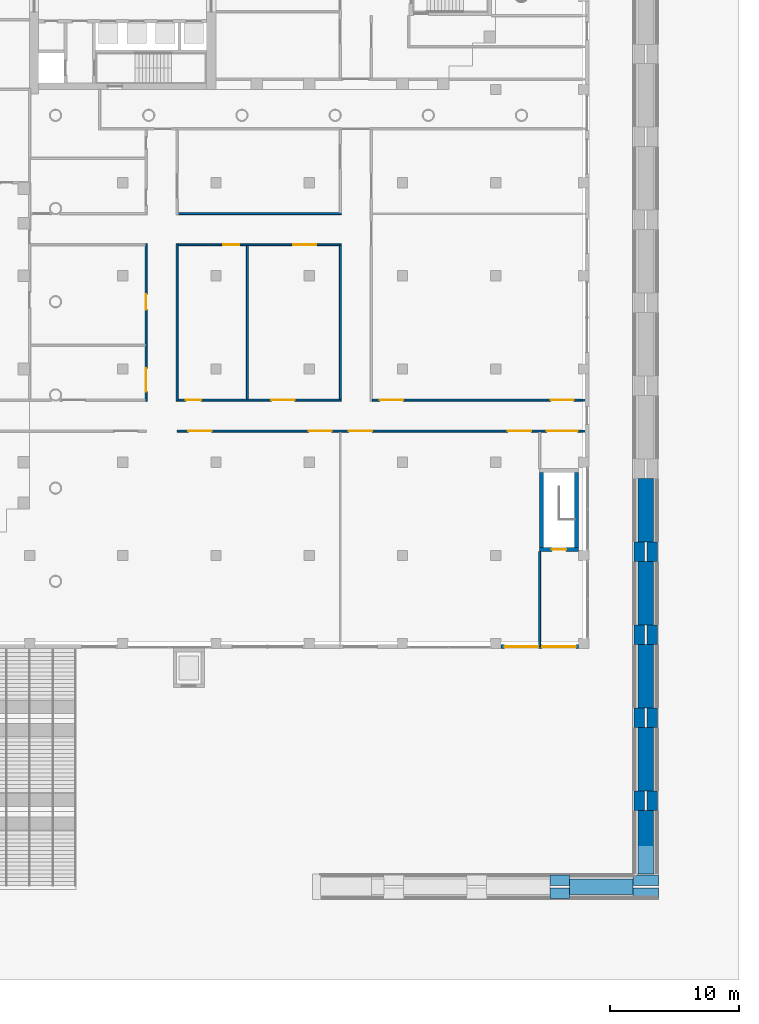
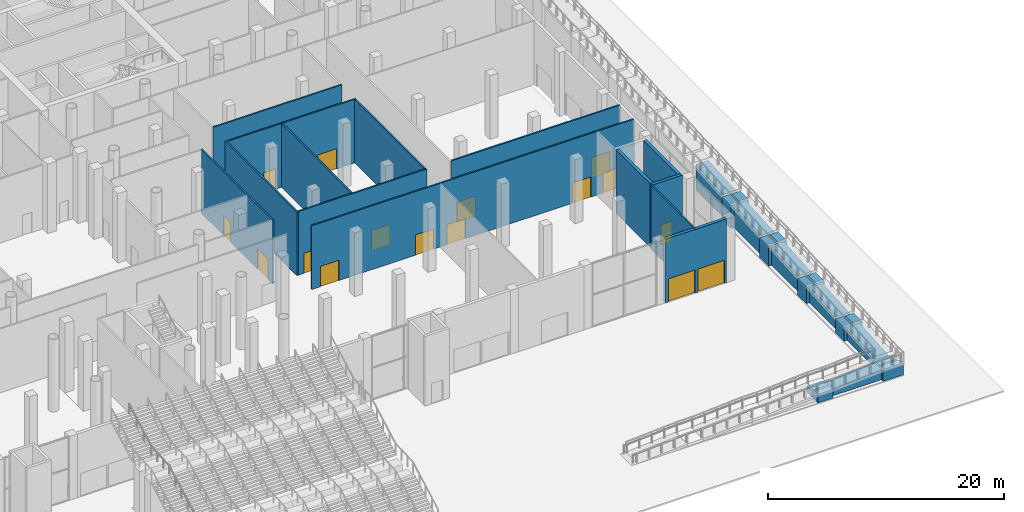
# One storey, part 19 of 44: 32 walls, 16 doors, 16 openings.
"""IFC4 building model written with IfcOpenShell, lengths in metres."""

from ifc_helpers import new_model, si_unit, direction, frame, frame_2d, origin, place, context, subcontext, project, spatial, polyline, rectangle, outline, extrude, material, layer, layer_set, type_object, element, fill, save


model = new_model("IFC4")

# Units and contexts
model_context = context("Model", 3, precision=1e-05, world=origin(), true_north=direction((0.0, 1.0)))
body_context = subcontext(model_context, "Body", "Model", "MODEL_VIEW")
ifc_project = project(units=[si_unit("LENGTHUNIT", "METRE"), si_unit("AREAUNIT", "SQUARE_METRE"), si_unit("VOLUMEUNIT", "CUBIC_METRE"), si_unit("PLANEANGLEUNIT", "RADIAN"), si_unit("MASSUNIT", "GRAM", prefix="KILO")], contexts=[model_context])

# Site, building, storey
site_placement = place(None, origin())
site = spatial("IfcSite", under=ifc_project, at=site_placement, CompositionType="ELEMENT")
building_placement = place(site_placement, origin())
building = spatial("IfcBuilding", under=site, at=building_placement, Name="Fustian Cross Tower", CompositionType="ELEMENT")
storey_placement = place(building_placement, origin())
storey = spatial("IfcBuildingStorey", under=building, at=storey_placement, Name="L00", CompositionType="ELEMENT", Elevation=0.0)

# Wall, openings, doors
ifc_material_1 = material(Name="Plasterboard on steel stud", Category="steel")
ifc_layer_1 = layer(ifc_material_1, 0.14990234375)
ifc_layer_set_1 = layer_set([ifc_layer_1], Name="Plasterboard on steel stud")
wall_type_1 = type_object("IfcWallType", Name="COMPARTMENT WALL 150 EI 60", PredefinedType="PARTITIONING", material=ifc_layer_set_1)
wall_1_placement = place(storey_placement, frame((16.199951171875, -31.27490234375, 0.0), z_axis=(0.0, 0.0, 1.0), x_axis=(0.0, 1.0, 0.0)))
wall_1 = element("IfcWall", 1, at=wall_1_placement, inside=storey, type_object=wall_type_1, Name="Partition 109", PredefinedType="PARTITIONING", context=body_context, shape_type="SweptSolid", body=[
    extrude(rectangle(XDim=12.14990234375, YDim=0.14990234375, at=frame_2d((6.074951171875, 0.0))), origin(), (0.0, 0.0, 1.0), 6.60009765625),
])
opening_1_placement = place(wall_1_placement, frame((0.72509765625, 0.0, 0.0)))
opening_1 = element("IfcOpeningElement", 2, at=opening_1_placement, cuts=wall_1, Name="Opening D02123", PredefinedType="OPENING", context=body_context, shape_type="SweptSolid", body=[
    extrude(rectangle(XDim=1.800048828125, YDim=2.10009765625, at=frame_2d((0.89990234375, 1.050048828125))), frame((0.0, 0.0849609375, 0.0), z_axis=(0.0, -1.0, 0.0), x_axis=(1.0, 0.0, 0.0)), (0.0, 0.0, 1.0), 0.169921875),
])
opening_2_placement = place(wall_1_placement, frame((7.06103515625, 0.0, 0.0)))
opening_2 = element("IfcOpeningElement", 3, at=opening_2_placement, cuts=wall_1, Name="Opening D02125", PredefinedType="OPENING", context=body_context, shape_type="SweptSolid", body=[
    extrude(rectangle(XDim=1.199951171875, YDim=2.10009765625, at=frame_2d((0.60009765625, 1.050048828125))), frame((0.0, 0.0849609375, 0.0), z_axis=(0.0, -1.0, 0.0), x_axis=(1.0, 0.0, 0.0)), (0.0, 0.0, 1.0), 0.169921875),
])
ifc_material_2 = material(Name="Timber fire door set", Category="wood")
door_type_1 = type_object("IfcDoorType", Name="FIRE DOUBLE DOOR 1800 FD30S", OperationType="DOUBLE_DOOR_DOUBLE_SWING", PredefinedType="DOOR", material=ifc_material_2)
door_1_placement = place(opening_1_placement, frame((1.800048828125, 0.0, 0.0), z_axis=(0.0, 0.0, 1.0), x_axis=(-1.0, 0.0, 0.0)))
door_1 = element("IfcDoor", 4, at=door_1_placement, inside=storey, type_object=door_type_1, Name="Door D02123", OperationType="DOUBLE_DOOR_DOUBLE_SWING", OverallHeight=2.10009765625, OverallWidth=1.800048828125, PredefinedType="DOOR", context=body_context, shape_type="SweptSolid", body=[
    extrude(rectangle(XDim=1.800048828125, YDim=2.10009765625, at=frame_2d((0.89990234375, 1.050048828125))), frame((0.0, 0.02490234375, 0.0), z_axis=(0.0, -1.0, 0.0), x_axis=(1.0, 0.0, 0.0)), (0.0, 0.0, 1.0), 0.050048828125),
])
fill(opening_1, door_1)
ifc_material_3 = material(Name="Timber fire door set", Category="wood")
door_type_2 = type_object("IfcDoorType", Name="FIRE SWING DOOR 1200 FD30S", OperationType="SINGLE_SWING_LEFT", PredefinedType="DOOR", material=ifc_material_3)
door_2_placement = place(opening_2_placement, origin())
door_2 = element("IfcDoor", 5, at=door_2_placement, inside=storey, type_object=door_type_2, Name="Door D02125", OperationType="SINGLE_SWING_LEFT", OverallHeight=2.10009765625, OverallWidth=1.199951171875, PredefinedType="DOOR", context=body_context, shape_type="SweptSolid", body=[
    extrude(rectangle(XDim=1.199951171875, YDim=2.10009765625, at=frame_2d((0.60009765625, 1.050048828125))), frame((0.0, 0.02490234375, 0.0), z_axis=(0.0, -1.0, 0.0), x_axis=(1.0, 0.0, 0.0)), (0.0, 0.0, 1.0), 0.050048828125),
])
fill(opening_2, door_2)

wall_2_placement = place(storey_placement, frame((18.60009765625, -33.60009765625, 0.0), z_axis=(0.0, 0.0, 1.0), x_axis=(1.0, 0.0, 0.0)))
wall_2 = element("IfcWall", 6, at=wall_2_placement, inside=storey, type_object=wall_type_1, Name="Partition 114", PredefinedType="PARTITIONING", context=body_context, shape_type="SweptSolid", body=[
    extrude(rectangle(XDim=31.619873046875, YDim=0.14990234375, at=frame_2d((15.81005859375, 0.0))), origin(), (0.0, 0.0, 1.0), 6.60009765625),
])
opening_3_placement = place(wall_2_placement, frame((28.550048828125, 0.0, 0.0)))
opening_3 = element("IfcOpeningElement", 7, at=opening_3_placement, cuts=wall_2, Name="Opening D02030", PredefinedType="OPENING", context=body_context, shape_type="SweptSolid", body=[
    extrude(rectangle(XDim=2.39990234375, YDim=2.10009765625, at=frame_2d((1.199951171875, 1.050048828125))), frame((0.0, 0.0849609375, 0.0), z_axis=(0.0, -1.0, 0.0), x_axis=(1.0, 0.0, 0.0)), (0.0, 0.0, 1.0), 0.169921875),
])
opening_4_placement = place(wall_2_placement, frame((0.85009765625, 0.0, 0.0)))
opening_4 = element("IfcOpeningElement", 8, at=opening_4_placement, cuts=wall_2, Name="Opening D02136", PredefinedType="OPENING", context=body_context, shape_type="SweptSolid", body=[
    extrude(rectangle(XDim=1.800048828125, YDim=2.10009765625, at=frame_2d((0.89990234375, 1.050048828125))), frame((0.0, 0.0849609375, 0.0), z_axis=(0.0, -1.0, 0.0), x_axis=(1.0, 0.0, 0.0)), (0.0, 0.0, 1.0), 0.169921875),
])
opening_5_placement = place(wall_2_placement, frame((10.14990234375, 0.0, 0.0)))
opening_5 = element("IfcOpeningElement", 9, at=opening_5_placement, cuts=wall_2, Name="Opening D02137", PredefinedType="OPENING", context=body_context, shape_type="SweptSolid", body=[
    extrude(rectangle(XDim=1.800048828125, YDim=2.10009765625, at=frame_2d((0.89990234375, 1.050048828125))), frame((0.0, 0.0849609375, 0.0), z_axis=(0.0, -1.0, 0.0), x_axis=(1.0, 0.0, 0.0)), (0.0, 0.0, 1.0), 0.169921875),
])
opening_6_placement = place(wall_2_placement, frame((13.25, 0.0, 0.0)))
opening_6 = element("IfcOpeningElement", 10, at=opening_6_placement, cuts=wall_2, Name="Opening D02138", PredefinedType="OPENING", context=body_context, shape_type="SweptSolid", body=[
    extrude(rectangle(XDim=1.800048828125, YDim=2.10009765625, at=frame_2d((0.89990234375, 1.050048828125))), frame((0.0, 0.0849609375, 0.0), z_axis=(0.0, -1.0, 0.0), x_axis=(1.0, 0.0, 0.0)), (0.0, 0.0, 1.0), 0.169921875),
])
opening_7_placement = place(wall_2_placement, frame((25.550048828125, 0.0, 0.0)))
opening_7 = element("IfcOpeningElement", 11, at=opening_7_placement, cuts=wall_2, Name="Opening D02139", PredefinedType="OPENING", context=body_context, shape_type="SweptSolid", body=[
    extrude(rectangle(XDim=1.800048828125, YDim=2.10009765625, at=frame_2d((0.89990234375, 1.050048828125))), frame((0.0, 0.0849609375, 0.0), z_axis=(0.0, -1.0, 0.0), x_axis=(1.0, 0.0, 0.0)), (0.0, 0.0, 1.0), 0.169921875),
])
door_3_placement = place(opening_4_placement, origin())
door_3 = element("IfcDoor", 12, at=door_3_placement, inside=storey, type_object=door_type_1, Name="Door D02136", OperationType="DOUBLE_DOOR_DOUBLE_SWING", OverallHeight=2.10009765625, OverallWidth=1.800048828125, PredefinedType="DOOR", context=body_context, shape_type="SweptSolid", body=[
    extrude(rectangle(XDim=1.800048828125, YDim=2.10009765625, at=frame_2d((0.89990234375, 1.050048828125))), frame((0.0, 0.02490234375, 0.0), z_axis=(0.0, -1.0, 0.0), x_axis=(1.0, 0.0, 0.0)), (0.0, 0.0, 1.0), 0.050048828125),
])
fill(opening_4, door_3)
door_4_placement = place(opening_5_placement, origin())
door_4 = element("IfcDoor", 13, at=door_4_placement, inside=storey, type_object=door_type_1, Name="Door D02137", OperationType="DOUBLE_DOOR_DOUBLE_SWING", OverallHeight=2.10009765625, OverallWidth=1.800048828125, PredefinedType="DOOR", context=body_context, shape_type="SweptSolid", body=[
    extrude(rectangle(XDim=1.800048828125, YDim=2.10009765625, at=frame_2d((0.89990234375, 1.050048828125))), frame((0.0, 0.02490234375, 0.0), z_axis=(0.0, -1.0, 0.0), x_axis=(1.0, 0.0, 0.0)), (0.0, 0.0, 1.0), 0.050048828125),
])
fill(opening_5, door_4)
door_5_placement = place(opening_6_placement, origin())
door_5 = element("IfcDoor", 14, at=door_5_placement, inside=storey, type_object=door_type_1, Name="Door D02138", OperationType="DOUBLE_DOOR_DOUBLE_SWING", OverallHeight=2.10009765625, OverallWidth=1.800048828125, PredefinedType="DOOR", context=body_context, shape_type="SweptSolid", body=[
    extrude(rectangle(XDim=1.800048828125, YDim=2.10009765625, at=frame_2d((0.89990234375, 1.050048828125))), frame((0.0, 0.02490234375, 0.0), z_axis=(0.0, -1.0, 0.0), x_axis=(1.0, 0.0, 0.0)), (0.0, 0.0, 1.0), 0.050048828125),
])
fill(opening_6, door_5)
door_6_placement = place(opening_7_placement, origin())
door_6 = element("IfcDoor", 15, at=door_6_placement, inside=storey, type_object=door_type_1, Name="Door D02139", OperationType="DOUBLE_DOOR_DOUBLE_SWING", OverallHeight=2.10009765625, OverallWidth=1.800048828125, PredefinedType="DOOR", context=body_context, shape_type="SweptSolid", body=[
    extrude(rectangle(XDim=1.800048828125, YDim=2.10009765625, at=frame_2d((0.89990234375, 1.050048828125))), frame((0.0, 0.02490234375, 0.0), z_axis=(0.0, -1.0, 0.0), x_axis=(1.0, 0.0, 0.0)), (0.0, 0.0, 1.0), 0.050048828125),
])
fill(opening_7, door_6)
ifc_material_4 = material(Name="Timber fire door set", Category="wood")
door_type_3 = type_object("IfcDoorType", Name="FIRE DOUBLE DOOR 2400 FD30S", OperationType="DOUBLE_DOOR_DOUBLE_SWING", PredefinedType="DOOR", material=ifc_material_4)
door_7_placement = place(opening_3_placement, origin())
door_7 = element("IfcDoor", 16, at=door_7_placement, inside=storey, type_object=door_type_3, Name="Door D02030", OperationType="DOUBLE_DOOR_DOUBLE_SWING", OverallHeight=2.10009765625, OverallWidth=2.39990234375, PredefinedType="DOOR", context=body_context, shape_type="SweptSolid", body=[
    extrude(rectangle(XDim=2.39990234375, YDim=2.10009765625, at=frame_2d((1.199951171875, 1.050048828125))), frame((0.0, 0.02490234375, 0.0), z_axis=(0.0, -1.0, 0.0), x_axis=(1.0, 0.0, 0.0)), (0.0, 0.0, 1.0), 0.050048828125),
])
fill(opening_3, door_7)

# Wall
wall_3_placement = place(storey_placement, frame((18.60009765625, -31.27490234375, 0.0), z_axis=(0.0, 0.0, 1.0), x_axis=(0.0, 1.0, 0.0)))
element("IfcWall", 17, at=wall_3_placement, inside=storey, type_object=wall_type_1, Name="Partition 115", PredefinedType="PARTITIONING", context=body_context, shape_type="SweptSolid", body=[
    extrude(rectangle(XDim=12.14990234375, YDim=0.14990234375, at=frame_2d((6.074951171875, 0.0))), origin(), (0.0, 0.0, 1.0), 6.60009765625),
])

# Wall, openings, doors
wall_4_placement = place(storey_placement, frame((18.675048828125, -31.199951171875, 0.0), z_axis=(0.0, 0.0, 1.0), x_axis=(1.0, 0.0, 0.0)))
wall_4 = element("IfcWall", 18, at=wall_4_placement, inside=storey, type_object=wall_type_1, Name="Partition 116", PredefinedType="PARTITIONING", context=body_context, shape_type="SweptSolid", body=[
    extrude(rectangle(XDim=12.599853515625, YDim=0.14990234375, at=frame_2d((6.2998046875, 0.0))), origin(), (0.0, 0.0, 1.0), 6.60009765625),
])
opening_8_placement = place(wall_4_placement, frame((0.574951171875, 0.0, 0.0)))
opening_8 = element("IfcOpeningElement", 19, at=opening_8_placement, cuts=wall_4, Name="Opening D02126", PredefinedType="OPENING", context=body_context, shape_type="SweptSolid", body=[
    extrude(rectangle(XDim=1.199951171875, YDim=2.10009765625, at=frame_2d((0.60009765625, 1.050048828125))), frame((0.0, 0.0849609375, 0.0), z_axis=(0.0, -1.0, 0.0), x_axis=(1.0, 0.0, 0.0)), (0.0, 0.0, 1.0), 0.169921875),
])
opening_9_placement = place(wall_4_placement, frame((7.198974609375, 0.0, 0.0)))
opening_9 = element("IfcOpeningElement", 20, at=opening_9_placement, cuts=wall_4, Name="Opening D02128", PredefinedType="OPENING", context=body_context, shape_type="SweptSolid", body=[
    extrude(rectangle(XDim=1.800048828125, YDim=2.10009765625, at=frame_2d((0.89990234375, 1.050048828125))), frame((0.0, 0.0849609375, 0.0), z_axis=(0.0, -1.0, 0.0), x_axis=(1.0, 0.0, 0.0)), (0.0, 0.0, 1.0), 0.169921875),
])
door_8_placement = place(opening_9_placement, frame((1.800048828125, 0.0, 0.0), z_axis=(0.0, 0.0, 1.0), x_axis=(-1.0, 0.0, 0.0)))
door_8 = element("IfcDoor", 21, at=door_8_placement, inside=storey, type_object=door_type_1, Name="Door D02128", OperationType="DOUBLE_DOOR_DOUBLE_SWING", OverallHeight=2.10009765625, OverallWidth=1.800048828125, PredefinedType="DOOR", context=body_context, shape_type="SweptSolid", body=[
    extrude(rectangle(XDim=1.800048828125, YDim=2.10009765625, at=frame_2d((0.89990234375, 1.050048828125))), frame((0.0, 0.02490234375, 0.0), z_axis=(0.0, -1.0, 0.0), x_axis=(1.0, 0.0, 0.0)), (0.0, 0.0, 1.0), 0.050048828125),
])
fill(opening_9, door_8)
door_9_placement = place(opening_8_placement, origin())
door_9 = element("IfcDoor", 22, at=door_9_placement, inside=storey, type_object=door_type_2, Name="Door D02126", OperationType="SINGLE_SWING_LEFT", OverallHeight=2.10009765625, OverallWidth=1.199951171875, PredefinedType="DOOR", context=body_context, shape_type="SweptSolid", body=[
    extrude(rectangle(XDim=1.199951171875, YDim=2.10009765625, at=frame_2d((0.60009765625, 1.050048828125))), frame((0.0, 0.02490234375, 0.0), z_axis=(0.0, -1.0, 0.0), x_axis=(1.0, 0.0, 0.0)), (0.0, 0.0, 1.0), 0.050048828125),
])
fill(opening_8, door_9)

wall_5_placement = place(storey_placement, frame((18.675048828125, -19.199951171875, 0.0), z_axis=(0.0, 0.0, 1.0), x_axis=(1.0, 0.0, 0.0)))
wall_5 = element("IfcWall", 23, at=wall_5_placement, inside=storey, type_object=wall_type_1, Name="Partition 117", PredefinedType="PARTITIONING", context=body_context, shape_type="SweptSolid", body=[
    extrude(rectangle(XDim=12.599853515625, YDim=0.14990234375, at=frame_2d((6.2998046875, 0.0))), origin(), (0.0, 0.0, 1.0), 6.60009765625),
])
opening_10_placement = place(wall_5_placement, frame((3.4990234375, 0.0, 0.0)))
opening_10 = element("IfcOpeningElement", 24, at=opening_10_placement, cuts=wall_5, Name="Opening D02127", PredefinedType="OPENING", context=body_context, shape_type="SweptSolid", body=[
    extrude(rectangle(XDim=1.199951171875, YDim=2.10009765625, at=frame_2d((0.60009765625, 1.050048828125))), frame((0.0, 0.0849609375, 0.0), z_axis=(0.0, -1.0, 0.0), x_axis=(1.0, 0.0, 0.0)), (0.0, 0.0, 1.0), 0.169921875),
])
opening_11_placement = place(wall_5_placement, frame((8.875, 0.0, 0.0)))
opening_11 = element("IfcOpeningElement", 25, at=opening_11_placement, cuts=wall_5, Name="Opening D02129", PredefinedType="OPENING", context=body_context, shape_type="SweptSolid", body=[
    extrude(rectangle(XDim=1.800048828125, YDim=2.10009765625, at=frame_2d((0.89990234375, 1.050048828125))), frame((0.0, 0.0849609375, 0.0), z_axis=(0.0, -1.0, 0.0), x_axis=(1.0, 0.0, 0.0)), (0.0, 0.0, 1.0), 0.169921875),
])
door_10_placement = place(opening_11_placement, origin())
door_10 = element("IfcDoor", 26, at=door_10_placement, inside=storey, type_object=door_type_1, Name="Door D02129", OperationType="DOUBLE_DOOR_DOUBLE_SWING", OverallHeight=2.10009765625, OverallWidth=1.800048828125, PredefinedType="DOOR", context=body_context, shape_type="SweptSolid", body=[
    extrude(rectangle(XDim=1.800048828125, YDim=2.10009765625, at=frame_2d((0.89990234375, 1.050048828125))), frame((0.0, 0.02490234375, 0.0), z_axis=(0.0, -1.0, 0.0), x_axis=(1.0, 0.0, 0.0)), (0.0, 0.0, 1.0), 0.050048828125),
])
fill(opening_11, door_10)
door_11_placement = place(opening_10_placement, frame((1.199951171875, 0.0, 0.0), z_axis=(0.0, 0.0, 1.0), x_axis=(-1.0, 0.0, 0.0)))
door_11 = element("IfcDoor", 27, at=door_11_placement, inside=storey, type_object=door_type_2, Name="Door D02127", OperationType="SINGLE_SWING_LEFT", OverallHeight=2.10009765625, OverallWidth=1.199951171875, PredefinedType="DOOR", context=body_context, shape_type="SweptSolid", body=[
    extrude(rectangle(XDim=1.199951171875, YDim=2.10009765625, at=frame_2d((0.60009765625, 1.050048828125))), frame((0.0, 0.02490234375, 0.0), z_axis=(0.0, -1.0, 0.0), x_axis=(1.0, 0.0, 0.0)), (0.0, 0.0, 1.0), 0.050048828125),
])
fill(opening_10, door_11)

# Walls
wall_6_placement = place(storey_placement, frame((18.675048828125, -16.800048828125, 0.0), z_axis=(0.0, 0.0, 1.0), x_axis=(1.0, 0.0, 0.0)))
element("IfcWall", 28, at=wall_6_placement, inside=storey, type_object=wall_type_1, Name="Partition 119", PredefinedType="PARTITIONING", context=body_context, shape_type="SweptSolid", body=[
    extrude(rectangle(XDim=12.599853515625, YDim=0.14990234375, at=frame_2d((6.2998046875, 0.0))), origin(), (0.0, 0.0, 1.0), 6.60009765625),
])
for number, where, z_axis, x_axis, name in (
    (29, (24.0244140625, -31.125, 0.0), (0.0, 0.0, 1.0), (0.0, 1.0, 0.0), "Partition 131"),
    (30, (31.199951171875, -31.125, 0.0), (0.0, 0.0, 1.0), (0.0, 1.0, 0.0), "Partition 134"),
):
    element("IfcWall", number, at=place(storey_placement, frame(where, z_axis=z_axis, x_axis=x_axis)), inside=storey, type_object=wall_type_1, Name=name, PredefinedType="PARTITIONING", context=body_context, shape_type="SweptSolid", body=[
        extrude(rectangle(XDim=11.85009765625, YDim=0.14990234375, at=frame_2d((5.925048828125, 0.0))), origin(), (0.0, 0.0, 1.0), 6.60009765625),
    ])

# Wall, openings, doors
wall_7_placement = place(storey_placement, frame((33.675048828125, -31.199951171875, 0.0), z_axis=(0.0, 0.0, 1.0), x_axis=(1.0, 0.0, 0.0)))
wall_7 = element("IfcWall", 31, at=wall_7_placement, inside=storey, type_object=wall_type_1, Name="Partition 141", PredefinedType="PARTITIONING", context=body_context, shape_type="SweptSolid", body=[
    extrude(rectangle(XDim=16.544921875, YDim=0.14990234375, at=frame_2d((8.2724609375, 0.0))), origin(), (0.0, 0.0, 1.0), 6.60009765625),
])
opening_12_placement = place(wall_7_placement, frame((0.574951171875, 0.0, 0.0)))
opening_12 = element("IfcOpeningElement", 32, at=opening_12_placement, cuts=wall_7, Name="Opening D02132", PredefinedType="OPENING", context=body_context, shape_type="SweptSolid", body=[
    extrude(rectangle(XDim=1.800048828125, YDim=2.10009765625, at=frame_2d((0.89990234375, 1.050048828125))), frame((0.0, 0.0849609375, 0.0), z_axis=(0.0, -1.0, 0.0), x_axis=(1.0, 0.0, 0.0)), (0.0, 0.0, 1.0), 0.169921875),
])
opening_13_placement = place(wall_7_placement, frame((13.77490234375, 0.0, 0.0)))
opening_13 = element("IfcOpeningElement", 33, at=opening_13_placement, cuts=wall_7, Name="Opening D02133", PredefinedType="OPENING", context=body_context, shape_type="SweptSolid", body=[
    extrude(rectangle(XDim=1.800048828125, YDim=2.10009765625, at=frame_2d((0.89990234375, 1.050048828125))), frame((0.0, 0.0849609375, 0.0), z_axis=(0.0, -1.0, 0.0), x_axis=(1.0, 0.0, 0.0)), (0.0, 0.0, 1.0), 0.169921875),
])
door_12_placement = place(opening_12_placement, frame((1.800048828125, 0.0, 0.0), z_axis=(0.0, 0.0, 1.0), x_axis=(-1.0, 0.0, 0.0)))
door_12 = element("IfcDoor", 34, at=door_12_placement, inside=storey, type_object=door_type_1, Name="Door D02132", OperationType="DOUBLE_DOOR_DOUBLE_SWING", OverallHeight=2.10009765625, OverallWidth=1.800048828125, PredefinedType="DOOR", context=body_context, shape_type="SweptSolid", body=[
    extrude(rectangle(XDim=1.800048828125, YDim=2.10009765625, at=frame_2d((0.89990234375, 1.050048828125))), frame((0.0, 0.02490234375, 0.0), z_axis=(0.0, -1.0, 0.0), x_axis=(1.0, 0.0, 0.0)), (0.0, 0.0, 1.0), 0.050048828125),
])
fill(opening_12, door_12)
door_13_placement = place(opening_13_placement, frame((1.800048828125, 0.0, 0.0), z_axis=(0.0, 0.0, 1.0), x_axis=(-1.0, 0.0, 0.0)))
door_13 = element("IfcDoor", 35, at=door_13_placement, inside=storey, type_object=door_type_1, Name="Door D02133", OperationType="DOUBLE_DOOR_DOUBLE_SWING", OverallHeight=2.10009765625, OverallWidth=1.800048828125, PredefinedType="DOOR", context=body_context, shape_type="SweptSolid", body=[
    extrude(rectangle(XDim=1.800048828125, YDim=2.10009765625, at=frame_2d((0.89990234375, 1.050048828125))), frame((0.0, 0.02490234375, 0.0), z_axis=(0.0, -1.0, 0.0), x_axis=(1.0, 0.0, 0.0)), (0.0, 0.0, 1.0), 0.050048828125),
])
fill(opening_13, door_13)

# Wall
wall_8_placement = place(storey_placement, frame((46.60009765625, -50.219970703125, 0.0), z_axis=(0.0, 0.0, 1.0), x_axis=(0.0, 1.0, 0.0)))
element("IfcWall", 36, at=wall_8_placement, inside=storey, type_object=wall_type_1, Name="Partition 151", PredefinedType="PARTITIONING", context=body_context, shape_type="SweptSolid", body=[
    extrude(rectangle(XDim=7.320068359375, YDim=0.14990234375, at=frame_2d((3.66015625, 0.0))), origin(), (0.0, 0.0, 1.0), 6.60009765625),
])

# Wall, openings, doors
ifc_material_5 = material(Name="Dark rainscreen cladding on blockwork", Category="masonry")
ifc_layer_2 = layer(ifc_material_5, 0.300048828125)
ifc_layer_set_2 = layer_set([ifc_layer_2], Name="Dark rainscreen cladding on blockwork")
wall_type_2 = type_object("IfcWallType", Name="EXTERNAL WALL 300 CLADDING", PredefinedType="SOLIDWALL", material=ifc_layer_set_2)
wall_9_placement = place(storey_placement, frame((43.60009765625, -50.25, 0.0), z_axis=(0.0, 0.0, 1.0), x_axis=(1.0, 0.0, 0.0)))
wall_9 = element("IfcWall", 37, at=wall_9_placement, inside=storey, type_object=wall_type_2, Name="External wall S14", PredefinedType="SOLIDWALL", context=body_context, shape_type="SweptSolid", body=[
    extrude(rectangle(XDim=6.0, YDim=0.300048828125, at=frame_2d((3.0, 0.0))), origin(), (0.0, 0.0, 1.0), 6.60009765625),
])
opening_14_placement = place(wall_9_placement, frame((0.300048828125, 0.0, 0.0)))
opening_14 = element("IfcOpeningElement", 38, at=opening_14_placement, cuts=wall_9, Name="Opening EDP14", PredefinedType="OPENING", context=body_context, shape_type="SweptSolid", body=[
    extrude(rectangle(XDim=2.60009765625, YDim=2.39990234375, at=frame_2d((1.300048828125, 1.199951171875))), frame((0.0, 0.159912109375, 0.0), z_axis=(0.0, -1.0, 0.0), x_axis=(1.0, 0.0, 0.0)), (0.0, 0.0, 1.0), 0.320068359375),
])
opening_15_placement = place(wall_9_placement, frame((3.199951171875, 0.0, 0.0)))
opening_15 = element("IfcOpeningElement", 39, at=opening_15_placement, cuts=wall_9, Name="Opening EDP15", PredefinedType="OPENING", context=body_context, shape_type="SweptSolid", body=[
    extrude(rectangle(XDim=2.60009765625, YDim=2.39990234375, at=frame_2d((1.300048828125, 1.199951171875))), frame((0.0, 0.159912109375, 0.0), z_axis=(0.0, -1.0, 0.0), x_axis=(1.0, 0.0, 0.0)), (0.0, 0.0, 1.0), 0.320068359375),
])
ifc_material_6 = material(Name="Aluminium and glass", Category="aluminium")
door_type_4 = type_object("IfcDoorType", Name="ENTRANCE DOOR 2600", OperationType="DOUBLE_DOOR_SINGLE_SWING", PredefinedType="DOOR", material=ifc_material_6)
door_14_placement = place(opening_14_placement, frame((2.60009765625, 0.0, 0.0), z_axis=(0.0, 0.0, 1.0), x_axis=(-1.0, 0.0, 0.0)))
door_14 = element("IfcDoor", 40, at=door_14_placement, inside=storey, type_object=door_type_4, Name="Exit door 14", OperationType="DOUBLE_DOOR_DOUBLE_SWING", OverallHeight=2.39990234375, OverallWidth=2.60009765625, PredefinedType="DOOR", context=body_context, shape_type="SweptSolid", body=[
    extrude(rectangle(XDim=2.60009765625, YDim=2.39990234375, at=frame_2d((1.300048828125, 1.199951171875))), frame((0.0, 0.02490234375, 0.0), z_axis=(0.0, -1.0, 0.0), x_axis=(1.0, 0.0, 0.0)), (0.0, 0.0, 1.0), 0.050048828125),
])
fill(opening_14, door_14)
door_15_placement = place(opening_15_placement, frame((2.60009765625, 0.0, 0.0), z_axis=(0.0, 0.0, 1.0), x_axis=(-1.0, 0.0, 0.0)))
door_15 = element("IfcDoor", 41, at=door_15_placement, inside=storey, type_object=door_type_4, Name="Exit door 15", OperationType="DOUBLE_DOOR_DOUBLE_SWING", OverallHeight=2.39990234375, OverallWidth=2.60009765625, PredefinedType="DOOR", context=body_context, shape_type="SweptSolid", body=[
    extrude(rectangle(XDim=2.60009765625, YDim=2.39990234375, at=frame_2d((1.300048828125, 1.199951171875))), frame((0.0, 0.02490234375, 0.0), z_axis=(0.0, -1.0, 0.0), x_axis=(1.0, 0.0, 0.0)), (0.0, 0.0, 1.0), 0.050048828125),
])
fill(opening_15, door_15)

# Walls
ifc_material_7 = material(Name="Concrete C40/50", Category="concrete")
ifc_layer_3 = layer(ifc_material_7, 1.199951171875)
ifc_layer_set_3 = layer_set([ifc_layer_3], Name="Concrete C40/50")
wall_type_3 = type_object("IfcWallType", Name="RAMP BANK WALL 1200", PredefinedType="SOLIDWALL", material=ifc_layer_set_3)
wall_10_placement = place(storey_placement, frame((48.890869140625, -68.800048828125, 0.0), z_axis=(0.0, 0.0, 1.0), x_axis=(1.0, 0.0, 0.0)))
element("IfcWall", 42, at=wall_10_placement, inside=storey, type_object=wall_type_3, Name="Ramp bank wall 4", PredefinedType="SOLIDWALL", context=body_context, shape_type="SweptSolid", body=[
    extrude(outline(polyline([(0.0, 0.0), (4.9091796875, 0.0), (4.9091796875, 1.05859375), (0.0, 0.731201171875), (0.0, 0.0)])), frame((0.0, 0.60009765625, 0.0), z_axis=(0.0, -1.0, 0.0), x_axis=(1.0, 0.0, 0.0)), (0.0, 0.0, 1.0), 1.199951171875),
])
wall_11_placement = place(storey_placement, frame((54.800048828125, -67.800048828125, 0.0), z_axis=(0.0, 0.0, 1.0), x_axis=(0.0, 1.0, 0.0)))
element("IfcWall", 43, at=wall_11_placement, inside=storey, type_object=wall_type_3, Name="Ramp bank wall 5", PredefinedType="SOLIDWALL", context=body_context, shape_type="SweptSolid", body=[
    extrude(outline(polyline([(0.0, 0.0), (4.9091796875, 0.0), (4.9091796875, 1.3857421875), (0.0, 1.05859375), (0.0, 0.0)])), frame((0.0, 0.60009765625, 0.0), z_axis=(0.0, -1.0, 0.0), x_axis=(1.0, 0.0, 0.0)), (0.0, 0.0, 1.0), 1.199951171875),
])
wall_12_placement = place(storey_placement, frame((54.800048828125, -61.390869140625, 0.0), z_axis=(0.0, 0.0, 1.0), x_axis=(0.0, 1.0, 0.0)))
element("IfcWall", 44, at=wall_12_placement, inside=storey, type_object=wall_type_3, Name="Ramp bank wall 6", PredefinedType="SOLIDWALL", context=body_context, shape_type="SweptSolid", body=[
    extrude(outline(polyline([(0.0, 0.0), (4.908935546875, 0.0), (4.9091796875, 1.713134765625), (0.0, 1.3857421875), (0.0, 0.0)])), frame((0.0, 0.60009765625, 0.0), z_axis=(0.0, -1.0, 0.0), x_axis=(1.0, 0.0, 0.0)), (0.0, 0.0, 1.0), 1.199951171875),
])
wall_13_placement = place(storey_placement, frame((54.800048828125, -54.98193359375, 0.0), z_axis=(0.0, 0.0, 1.0), x_axis=(0.0, 1.0, 0.0)))
element("IfcWall", 45, at=wall_13_placement, inside=storey, type_object=wall_type_3, Name="Ramp bank wall 7", PredefinedType="SOLIDWALL", context=body_context, shape_type="SweptSolid", body=[
    extrude(outline(polyline([(0.0, 0.0), (4.9091796875, 0.0), (4.9091796875, 2.040283203125), (0.0, 1.713134765625), (0.0, 0.0)])), frame((0.0, 0.60009765625, 0.0), z_axis=(0.0, -1.0, 0.0), x_axis=(1.0, 0.0, 0.0)), (0.0, 0.0, 1.0), 1.199951171875),
])
wall_14_placement = place(storey_placement, frame((54.800048828125, -48.57275390625, 0.0), z_axis=(0.0, 0.0, 1.0), x_axis=(0.0, 1.0, 0.0)))
element("IfcWall", 46, at=wall_14_placement, inside=storey, type_object=wall_type_3, Name="Ramp bank wall 8", PredefinedType="SOLIDWALL", context=body_context, shape_type="SweptSolid", body=[
    extrude(outline(polyline([(0.0, 0.0), (4.9091796875, 0.0), (4.9091796875, 2.36767578125), (0.0, 2.040283203125), (0.0, 0.0)])), frame((0.0, 0.60009765625, 0.0), z_axis=(0.0, -1.0, 0.0), x_axis=(1.0, 0.0, 0.0)), (0.0, 0.0, 1.0), 1.199951171875),
])
wall_15_placement = place(storey_placement, frame((54.800048828125, -42.16357421875, 0.0), z_axis=(0.0, 0.0, 1.0), x_axis=(0.0, 1.0, 0.0)))
element("IfcWall", 47, at=wall_15_placement, inside=storey, type_object=wall_type_3, Name="Ramp bank wall 9", PredefinedType="SOLIDWALL", context=body_context, shape_type="SweptSolid", body=[
    extrude(outline(polyline([(0.0, 0.0), (4.908935546875, 0.0), (4.9091796875, 2.69482421875), (0.0, 2.36767578125), (0.0, 0.0)])), frame((0.0, 0.60009765625, 0.0), z_axis=(0.0, -1.0, 0.0), x_axis=(1.0, 0.0, 0.0)), (0.0, 0.0, 1.0), 1.199951171875),
])
ifc_material_8 = material(Name="Concrete C40/50", Category="concrete")
ifc_layer_4 = layer(ifc_material_8, 0.800048828125)
ifc_layer_set_4 = layer_set([ifc_layer_4], Name="Concrete C40/50")
wall_type_4 = type_object("IfcWallType", Name="RAMP LANDING PIER 800", PredefinedType="SOLIDWALL", material=ifc_layer_set_4)
for number, where, z_axis, x_axis, name in (
    (48, (47.390869140625, -69.300048828125, 0.0), (0.0, 0.0, 1.0), (1.0, 0.0, 0.0), "Ramp landing pier 3W"),
    (49, (47.390869140625, -68.300048828125, 0.0), (0.0, 0.0, 1.0), (1.0, 0.0, 0.0), "Ramp landing pier 3E"),
):
    element("IfcWall", number, at=place(storey_placement, frame(where, z_axis=z_axis, x_axis=x_axis)), inside=storey, type_object=wall_type_4, Name=name, PredefinedType="SOLIDWALL", context=body_context, shape_type="SweptSolid", body=[
        extrude(rectangle(XDim=1.5, YDim=0.800048828125, at=frame_2d((0.75, 0.0))), origin(), (0.0, 0.0, 1.0), 0.73193359375),
    ])
for number, where, z_axis, x_axis, name in (
    (50, (53.800048828125, -69.300048828125, 0.0), (0.0, 0.0, 1.0), (1.0, 0.0, 0.0), "Ramp landing pier 4W"),
    (51, (53.800048828125, -68.300048828125, 0.0), (0.0, 0.0, 1.0), (1.0, 0.0, 0.0), "Ramp landing pier 4E"),
):
    element("IfcWall", number, at=place(storey_placement, frame(where, z_axis=z_axis, x_axis=x_axis)), inside=storey, type_object=wall_type_4, Name=name, PredefinedType="SOLIDWALL", context=body_context, shape_type="SweptSolid", body=[
        extrude(rectangle(XDim=2.0, YDim=0.800048828125, at=frame_2d((1.0, 0.0))), origin(), (0.0, 0.0, 1.0), 1.05908203125),
    ])
for number, where, z_axis, x_axis, name in (
    (52, (54.300048828125, -62.890869140625, 0.0), (0.0, 0.0, 1.0), (0.0, 1.0, 0.0), "Ramp landing pier 5W"),
    (53, (55.300048828125, -62.890869140625, 0.0), (0.0, 0.0, 1.0), (0.0, 1.0, 0.0), "Ramp landing pier 5E"),
):
    element("IfcWall", number, at=place(storey_placement, frame(where, z_axis=z_axis, x_axis=x_axis)), inside=storey, type_object=wall_type_4, Name=name, PredefinedType="SOLIDWALL", context=body_context, shape_type="SweptSolid", body=[
        extrude(rectangle(XDim=1.5, YDim=0.800048828125, at=frame_2d((0.75, 0.0))), origin(), (0.0, 0.0, 1.0), 1.386474609375),
    ])
for number, where, z_axis, x_axis, name in (
    (54, (54.300048828125, -56.48193359375, 0.0), (0.0, 0.0, 1.0), (0.0, 1.0, 0.0), "Ramp landing pier 6W"),
    (55, (55.300048828125, -56.48193359375, 0.0), (0.0, 0.0, 1.0), (0.0, 1.0, 0.0), "Ramp landing pier 6E"),
):
    element("IfcWall", number, at=place(storey_placement, frame(where, z_axis=z_axis, x_axis=x_axis)), inside=storey, type_object=wall_type_4, Name=name, PredefinedType="SOLIDWALL", context=body_context, shape_type="SweptSolid", body=[
        extrude(rectangle(XDim=1.5, YDim=0.800048828125, at=frame_2d((0.75, 0.0))), origin(), (0.0, 0.0, 1.0), 1.713623046875),
    ])
for number, where, z_axis, x_axis, name in (
    (56, (54.300048828125, -50.07275390625, 0.0), (0.0, 0.0, 1.0), (0.0, 1.0, 0.0), "Ramp landing pier 7W"),
    (57, (55.300048828125, -50.07275390625, 0.0), (0.0, 0.0, 1.0), (0.0, 1.0, 0.0), "Ramp landing pier 7E"),
):
    element("IfcWall", number, at=place(storey_placement, frame(where, z_axis=z_axis, x_axis=x_axis)), inside=storey, type_object=wall_type_4, Name=name, PredefinedType="SOLIDWALL", context=body_context, shape_type="SweptSolid", body=[
        extrude(rectangle(XDim=1.5, YDim=0.800048828125, at=frame_2d((0.75, 0.0))), origin(), (0.0, 0.0, 1.0), 2.041015625),
    ])
for number, where, z_axis, x_axis, name in (
    (58, (54.300048828125, -43.66357421875, 0.0), (0.0, 0.0, 1.0), (0.0, 1.0, 0.0), "Ramp landing pier 8W"),
    (59, (55.300048828125, -43.66357421875, 0.0), (0.0, 0.0, 1.0), (0.0, 1.0, 0.0), "Ramp landing pier 8E"),
):
    element("IfcWall", number, at=place(storey_placement, frame(where, z_axis=z_axis, x_axis=x_axis)), inside=storey, type_object=wall_type_4, Name=name, PredefinedType="SOLIDWALL", context=body_context, shape_type="SweptSolid", body=[
        extrude(rectangle(XDim=1.5, YDim=0.800048828125, at=frame_2d((0.75, 0.0))), origin(), (0.0, 0.0, 1.0), 2.3681640625),
    ])

# Wall, opening, door
ifc_material_9 = material(Name="Concrete C50/60", Category="concrete")
ifc_layer_5 = layer(ifc_material_9, 0.300048828125)
ifc_layer_set_5 = layer_set([ifc_layer_5], Name="Concrete C50/60")
wall_type_5 = type_object("IfcWallType", Name="STAIR ENCLOSURE WALL 300 C50/60", PredefinedType="SHEAR", material=ifc_layer_set_5)
wall_16_placement = place(storey_placement, frame((46.60009765625, -42.75, 0.0), z_axis=(0.0, 0.0, 1.0), x_axis=(1.0, 0.0, 0.0)))
wall_16 = element("IfcWall", 60, at=wall_16_placement, inside=storey, type_object=wall_type_5, Name="Stair enclosure wall", PredefinedType="SHEAR", context=body_context, shape_type="SweptSolid", body=[
    extrude(rectangle(XDim=3.0, YDim=0.300048828125, at=frame_2d((1.5, 0.0))), origin(), (0.0, 0.0, 1.0), 6.60009765625),
])
opening_16_placement = place(wall_16_placement, frame((0.949951171875, 0.0, 0.0)))
opening_16 = element("IfcOpeningElement", 61, at=opening_16_placement, cuts=wall_16, Name="Opening CD-02-43", PredefinedType="OPENING", context=body_context, shape_type="SweptSolid", body=[
    extrude(rectangle(XDim=1.10009765625, YDim=2.10009765625, at=frame_2d((0.550048828125, 1.050048828125))), frame((0.0, 0.159912109375, 0.0), z_axis=(0.0, -1.0, 0.0), x_axis=(1.0, 0.0, 0.0)), (0.0, 0.0, 1.0), 0.320068359375),
])
ifc_material_10 = material(Name="Steel", Category="steel")
door_type_5 = type_object("IfcDoorType", Name="FIRE DOOR FD60S 1100X2100", OperationType="SINGLE_SWING_LEFT", PredefinedType="DOOR", material=ifc_material_10)
door_16_placement = place(opening_16_placement, origin())
door_16 = element("IfcDoor", 62, at=door_16_placement, inside=storey, type_object=door_type_5, Name="Core door CD-02-43", OperationType="SINGLE_SWING_RIGHT", OverallHeight=2.10009765625, OverallWidth=1.10009765625, PredefinedType="DOOR", context=body_context, shape_type="SweptSolid", body=[
    extrude(rectangle(XDim=1.10009765625, YDim=2.10009765625, at=frame_2d((0.550048828125, 1.050048828125))), frame((0.0, 0.02490234375, 0.0), z_axis=(0.0, -1.0, 0.0), x_axis=(1.0, 0.0, 0.0)), (0.0, 0.0, 1.0), 0.050048828125),
])
fill(opening_16, door_16)

# Walls
for number, where, z_axis, x_axis, name in (
    (63, (46.75, -36.800048828125, 0.0), (0.0, 0.0, 1.0), (0.0, -1.0, 0.0), "Stair enclosure wall"),
    (64, (49.449951171875, -36.800048828125, 0.0), (0.0, 0.0, 1.0), (0.0, -1.0, 0.0), "Stair enclosure wall"),
):
    element("IfcWall", number, at=place(storey_placement, frame(where, z_axis=z_axis, x_axis=x_axis)), inside=storey, type_object=wall_type_5, Name=name, PredefinedType="SHEAR", context=body_context, shape_type="SweptSolid", body=[
        extrude(rectangle(XDim=5.800048828125, YDim=0.300048828125, at=frame_2d((2.89990234375, 0.0))), origin(), (0.0, 0.0, 1.0), 6.60009765625),
    ])

save(model, "model.ifc")
